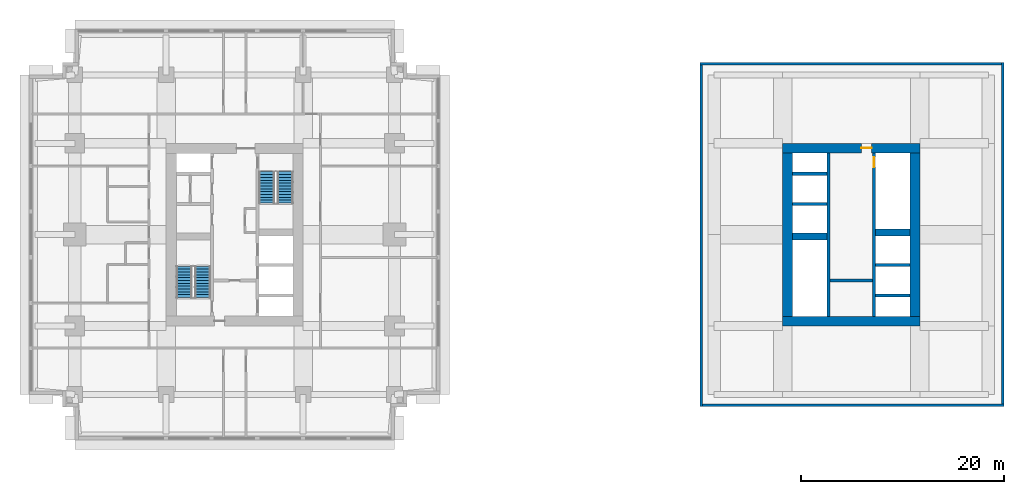
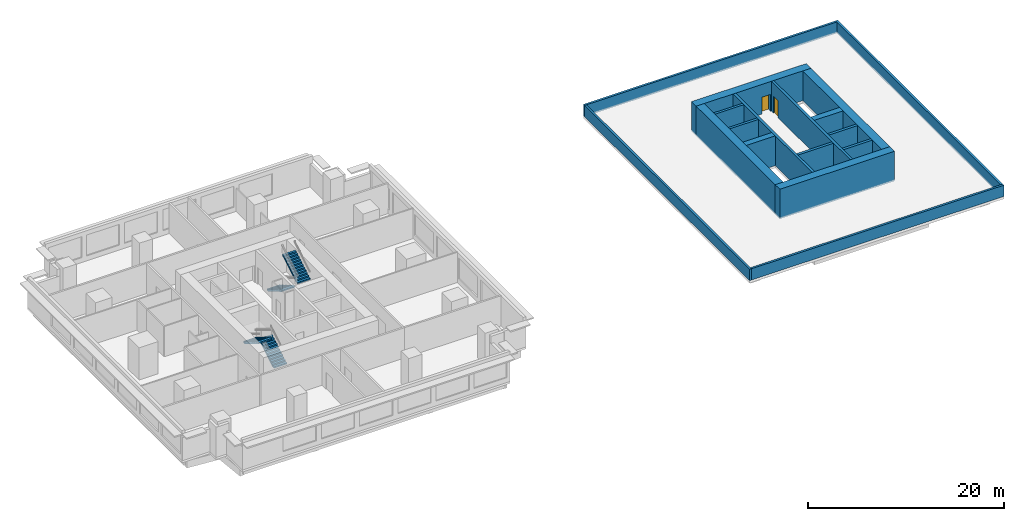
# One storey, part 6 of 7: 17 walls, 4 stair flights, 2 doors, 2 openings, 2 elements without a shape of their own.
"""IFC4 building model written with IfcOpenShell, lengths in metres."""

from ifc_helpers import new_model, si_unit, direction, frame, frame_2d, origin, place, context, subcontext, project, spatial, polyline, rectangle, outline, extrude, material, layer, layer_set, type_object, element, fill, aggregate, save


model = new_model("IFC4")

# Units and contexts
model_context = context("Model", 3, precision=1e-05, world=origin(), true_north=direction((0.0, 1.0)))
body_context = subcontext(model_context, "Body", "Model", "MODEL_VIEW")
ifc_project = project(units=[si_unit("LENGTHUNIT", "METRE"), si_unit("AREAUNIT", "SQUARE_METRE"), si_unit("VOLUMEUNIT", "CUBIC_METRE"), si_unit("PLANEANGLEUNIT", "RADIAN"), si_unit("MASSUNIT", "GRAM", prefix="KILO")], contexts=[model_context])

# Site, building, storey
site_placement = place(None, origin())
site = spatial("IfcSite", under=ifc_project, at=site_placement, CompositionType="ELEMENT")
building_placement = place(site_placement, origin())
building = spatial("IfcBuilding", under=site, at=building_placement, Name="Namib Vertical Campus", CompositionType="ELEMENT")
storey_placement = place(building_placement, frame((0.0, 0.0, 237.0)))
storey = spatial("IfcBuildingStorey", under=building, at=storey_placement, Name="L56", CompositionType="ELEMENT", Elevation=237.0)

# Wall
ifc_material_1 = material(Name="Concrete C60/75", Category="concrete")
ifc_layer_1 = layer(ifc_material_1, 0.300048828125)
ifc_layer_set_1 = layer_set([ifc_layer_1], Name="Concrete C60/75")
wall_type_1 = type_object("IfcWallType", Name="Core inner wall 300", PredefinedType="SHEAR", material=ifc_layer_set_1)
wall_1_placement = place(storey_placement, frame((78.75, 12.199951171875, 0.0), z_axis=(0.0, 0.0, 1.0), x_axis=(0.0, 1.0, 0.0)))
element("IfcWall", 1, at=wall_1_placement, inside=storey, type_object=wall_type_1, Name="Core inner wall B L56 W1", PredefinedType="SHEAR", context=body_context, shape_type="SweptSolid", body=[
    extrude(rectangle(XDim=16.10009765625, YDim=0.300048828125, at=frame_2d((8.050048828125, 0.0))), origin(), (0.0, 0.0, 1.0), 3.699951171875),
])

# Wall, opening, door
wall_2_placement = place(storey_placement, frame((83.25, 12.199951171875, 0.0), z_axis=(0.0, 0.0, 1.0), x_axis=(0.0, 1.0, 0.0)))
wall_2 = element("IfcWall", 2, at=wall_2_placement, inside=storey, type_object=wall_type_1, Name="Core inner wall B L56 W2", PredefinedType="SHEAR", context=body_context, shape_type="SweptSolid", body=[
    extrude(rectangle(XDim=16.10009765625, YDim=0.300048828125, at=frame_2d((8.050048828125, 0.0))), origin(), (0.0, 0.0, 1.0), 3.699951171875),
])
opening_1_placement = place(wall_2_placement, frame((14.699951171875, 0.0, 0.0)))
opening_1 = element("IfcOpeningElement", 3, at=opening_1_placement, cuts=wall_2, Name="Opening FD1", PredefinedType="OPENING", context=body_context, shape_type="SweptSolid", body=[
    extrude(rectangle(XDim=1.0, YDim=2.10009765625, at=frame_2d((0.5, 1.050048828125))), frame((0.0, 0.159912109375, 0.0), z_axis=(0.0, -1.0, 0.0), x_axis=(1.0, 0.0, 0.0)), (0.0, 0.0, 1.0), 0.320068359375),
])
ifc_material_2 = material(Name="Steel fire door", Category="steel")
door_type_1 = type_object("IfcDoorType", Name="Fire door 1000x2100", OperationType="SINGLE_SWING_RIGHT", PredefinedType="DOOR", material=ifc_material_2)
door_1_placement = place(opening_1_placement, frame((1.0, 0.0, 0.0), z_axis=(0.0, 0.0, 1.0), x_axis=(-1.0, 0.0, 0.0)))
door_1 = element("IfcDoor", 4, at=door_1_placement, inside=storey, type_object=door_type_1, Name="Stair door FD1 B L56 S2", OperationType="SINGLE_SWING_LEFT", OverallHeight=2.10009765625, OverallWidth=1.0, PredefinedType="DOOR", context=body_context, shape_type="SweptSolid", body=[
    extrude(rectangle(XDim=1.0, YDim=2.10009765625, at=frame_2d((0.5, 1.050048828125))), frame((0.0, 0.02490234375, 0.0), z_axis=(0.0, -1.0, 0.0), x_axis=(1.0, 0.0, 0.0)), (0.0, 0.0, 1.0), 0.050048828125),
])
fill(opening_1, door_1)

# Walls
wall_3_placement = place(storey_placement, frame((78.89990234375, 15.75, 0.0), z_axis=(0.0, 0.0, 1.0), x_axis=(1.0, 0.0, 0.0)))
element("IfcWall", 5, at=wall_3_placement, inside=storey, type_object=wall_type_1, Name="Core inner wall B L56 W4", PredefinedType="SHEAR", context=body_context, shape_type="SweptSolid", body=[
    extrude(rectangle(XDim=4.2001953125, YDim=0.300048828125, at=frame_2d((2.10009765625, 0.0))), origin(), (0.0, 0.0, 1.0), 3.699951171875),
])
for number, where, z_axis, x_axis, name in (
    (6, (83.39990234375, 14.25, 0.0), (0.0, 0.0, 1.0), (1.0, 0.0, 0.0), "Core inner wall B L56 W5"),
    (7, (83.39990234375, 17.25, 0.0), (0.0, 0.0, 1.0), (1.0, 0.0, 0.0), "Core inner wall B L56 W6"),
    (8, (75.199951171875, 23.25, 0.0), (0.0, 0.0, 1.0), (1.0, 0.0, 0.0), "Core inner wall B L56 W8"),
    (9, (75.199951171875, 26.25, 0.0), (0.0, 0.0, 1.0), (1.0, 0.0, 0.0), "Core inner wall B L56 W9"),
):
    element("IfcWall", number, at=place(storey_placement, frame(where, z_axis=z_axis, x_axis=x_axis)), inside=storey, type_object=wall_type_1, Name=name, PredefinedType="SHEAR", context=body_context, shape_type="SweptSolid", body=[
        extrude(rectangle(XDim=3.400146484375, YDim=0.300048828125, at=frame_2d((1.7001953125, 0.0))), origin(), (0.0, 0.0, 1.0), 3.699951171875),
    ])
ifc_material_3 = material(Name="Concrete C60/75", Category="concrete")
ifc_layer_2 = layer(ifc_material_3, 0.699951171875)
ifc_layer_set_2 = layer_set([ifc_layer_2], Name="Concrete C60/75")
wall_type_2 = type_object("IfcWallType", Name="Core shear wall 700", PredefinedType="SHEAR", material=ifc_layer_set_2)
for number, where, z_axis, x_axis, name in (
    (10, (75.199951171875, 20.050048828125, 0.0), (0.0, 0.0, 1.0), (1.0, 0.0, 0.0), "Core shear wall B L56 W3"),
    (11, (83.39990234375, 20.449951171875, 0.0), (0.0, 0.0, 1.0), (1.0, 0.0, 0.0), "Core shear wall B L56 W7"),
):
    element("IfcWall", number, at=place(storey_placement, frame(where, z_axis=z_axis, x_axis=x_axis)), inside=storey, type_object=wall_type_2, Name=name, PredefinedType="SHEAR", context=body_context, shape_type="SweptSolid", body=[
        extrude(rectangle(XDim=3.400146484375, YDim=0.699951171875, at=frame_2d((1.7001953125, 0.0))), origin(), (0.0, 0.0, 1.0), 3.699951171875),
    ])
ifc_material_4 = material(Name="Concrete C60/75", Category="concrete")
ifc_layer_3 = layer(ifc_material_4, 0.949951171875)
ifc_layer_set_3 = layer_set([ifc_layer_3], Name="Concrete C60/75")
wall_type_3 = type_object("IfcWallType", Name="Core wall 950", PredefinedType="SHEAR", material=ifc_layer_set_3)
wall_4_placement = place(storey_placement, frame((74.25, 11.72509765625, 0.0), z_axis=(0.0, 0.0, 1.0), x_axis=(1.0, 0.0, 0.0)))
element("IfcWall", 12, at=wall_4_placement, inside=storey, type_object=wall_type_3, Name="Core wall B L56 1", PredefinedType="SHEAR", context=body_context, shape_type="SweptSolid", body=[
    extrude(rectangle(XDim=13.5, YDim=0.949951171875, at=frame_2d((6.75, 0.0))), origin(), (0.0, 0.0, 1.0), 3.699951171875),
])
wall_5_placement = place(storey_placement, frame((87.27490234375, 12.199951171875, 0.0), z_axis=(0.0, 0.0, 1.0), x_axis=(0.0, 1.0, 0.0)))
element("IfcWall", 13, at=wall_5_placement, inside=storey, type_object=wall_type_3, Name="Core wall B L56 2", PredefinedType="SHEAR", context=body_context, shape_type="SweptSolid", body=[
    extrude(rectangle(XDim=16.10009765625, YDim=0.949951171875, at=frame_2d((8.050048828125, 0.0))), origin(), (0.0, 0.0, 1.0), 3.699951171875),
])

# Wall, opening, door
wall_6_placement = place(storey_placement, frame((87.75, 28.77490234375, 0.0), z_axis=(0.0, 0.0, 1.0), x_axis=(-1.0, 0.0, 0.0)))
wall_6 = element("IfcWall", 14, at=wall_6_placement, inside=storey, type_object=wall_type_3, Name="Core wall B L56 3", PredefinedType="SHEAR", context=body_context, shape_type="SweptSolid", body=[
    extrude(rectangle(XDim=13.5, YDim=0.949951171875, at=frame_2d((6.75, 0.0))), origin(), (0.0, 0.0, 1.0), 3.699951171875),
])
opening_2_placement = place(wall_6_placement, frame((4.75, 0.0, 0.0)))
opening_2 = element("IfcOpeningElement", 15, at=opening_2_placement, cuts=wall_6, Name="Opening MD1", PredefinedType="OPENING", context=body_context, shape_type="SweptSolid", body=[
    extrude(rectangle(XDim=1.0, YDim=2.10009765625, at=frame_2d((0.5, 1.050048828125))), frame((0.0, 0.48486328125, 0.0), z_axis=(0.0, -1.0, 0.0), x_axis=(1.0, 0.0, 0.0)), (0.0, 0.0, 1.0), 0.969970703125),
])
ifc_material_5 = material(Name="Galvanised steel door", Category="steel")
door_type_2 = type_object("IfcDoorType", Name="Maintenance access door 1000x2100", OperationType="SINGLE_SWING_RIGHT", PredefinedType="DOOR", material=ifc_material_5)
door_2_placement = place(opening_2_placement, frame((1.0, 0.0, 0.0), z_axis=(0.0, 0.0, 1.0), x_axis=(-1.0, 0.0, 0.0)))
door_2 = element("IfcDoor", 16, at=door_2_placement, inside=storey, type_object=door_type_2, Name="Maintenance access door MD1 B L56 to the roof", OperationType="SINGLE_SWING_RIGHT", OverallHeight=2.10009765625, OverallWidth=1.0, PredefinedType="DOOR", context=body_context, shape_type="SweptSolid", body=[
    extrude(rectangle(XDim=1.0, YDim=2.10009765625, at=frame_2d((0.5, 1.050048828125))), frame((0.0, 0.02490234375, 0.0), z_axis=(0.0, -1.0, 0.0), x_axis=(1.0, 0.0, 0.0)), (0.0, 0.0, 1.0), 0.050048828125),
])
fill(opening_2, door_2)

# Walls
wall_7_placement = place(storey_placement, frame((74.72509765625, 28.300048828125, 0.0), z_axis=(0.0, 0.0, 1.0), x_axis=(0.0, -1.0, 0.0)))
element("IfcWall", 17, at=wall_7_placement, inside=storey, type_object=wall_type_3, Name="Core wall B L56 4", PredefinedType="SHEAR", context=body_context, shape_type="SweptSolid", body=[
    extrude(rectangle(XDim=16.10009765625, YDim=0.949951171875, at=frame_2d((8.050048828125, 0.0))), origin(), (0.0, 0.0, 1.0), 3.699951171875),
])
ifc_material_6 = material(Name="Concrete C40/50", Category="concrete")
ifc_layer_4 = layer(ifc_material_6, 0.25)
ifc_layer_set_4 = layer_set([ifc_layer_4], Name="Concrete C40/50")
wall_type_4 = type_object("IfcWallType", Name="Parapet wall 250", PredefinedType="PARAPET", material=ifc_layer_set_4)
wall_8_placement = place(storey_placement, frame((66.35009765625, 3.425048828125, 0.0), z_axis=(0.0, 0.0, 1.0), x_axis=(1.0, 0.0, 0.0)))
element("IfcWall", 18, at=wall_8_placement, inside=storey, type_object=wall_type_4, Name="Parapet PW1 B L56 1", PredefinedType="PARAPET", context=body_context, shape_type="SweptSolid", body=[
    extrude(rectangle(XDim=29.699951171875, YDim=0.25, at=frame_2d((14.85009765625, 0.0))), origin(), (0.0, 0.0, 1.0), 1.39990234375),
])
wall_9_placement = place(storey_placement, frame((95.925048828125, 3.550048828125, 0.0), z_axis=(0.0, 0.0, 1.0), x_axis=(0.0, 1.0, 0.0)))
element("IfcWall", 19, at=wall_9_placement, inside=storey, type_object=wall_type_4, Name="Parapet PW1 B L56 2", PredefinedType="PARAPET", context=body_context, shape_type="SweptSolid", body=[
    extrude(rectangle(XDim=33.64990234375, YDim=0.25, at=frame_2d((16.824951171875, 0.0))), origin(), (0.0, 0.0, 1.0), 1.39990234375),
])
wall_10_placement = place(storey_placement, frame((95.800048828125, 37.074951171875, 0.0), z_axis=(0.0, 0.0, 1.0), x_axis=(-1.0, 0.0, 0.0)))
element("IfcWall", 20, at=wall_10_placement, inside=storey, type_object=wall_type_4, Name="Parapet PW1 B L56 3", PredefinedType="PARAPET", context=body_context, shape_type="SweptSolid", body=[
    extrude(rectangle(XDim=29.699951171875, YDim=0.25, at=frame_2d((14.85009765625, 0.0))), origin(), (0.0, 0.0, 1.0), 1.39990234375),
])
wall_11_placement = place(storey_placement, frame((66.22509765625, 36.949951171875, 0.0), z_axis=(0.0, 0.0, 1.0), x_axis=(0.0, -1.0, 0.0)))
element("IfcWall", 21, at=wall_11_placement, inside=storey, type_object=wall_type_4, Name="Parapet PW1 B L56 4", PredefinedType="PARAPET", context=body_context, shape_type="SweptSolid", body=[
    extrude(rectangle(XDim=33.64990234375, YDim=0.25, at=frame_2d((16.824951171875, 0.0))), origin(), (0.0, 0.0, 1.0), 1.39990234375),
])

# Stair, stair flights
ifc_material_7 = material(Name="Concrete C40/50 precast", Category="concrete")
stair_type = type_object("IfcStairType", Name="Exit stair 4000 rise 24 risers 3350 wide", PredefinedType="HALF_TURN_STAIR", material=ifc_material_7)
stair_1_placement = place(storey_placement, origin())
stair_1 = element("IfcStair", 22, at=stair_1_placement, inside=storey, type_object=stair_type, Name="Exit stair A-S1 L56", PredefinedType="HALF_TURN_STAIR")
ifc_material_8 = material(Name="Concrete C40/50 precast", Category="concrete")
stair_flight_type = type_object("IfcStairFlightType", Name="Stair flight 12 risers 167 1525 wide", PredefinedType="STRAIGHT", material=ifc_material_8)
stair_flight_1_placement = place(storey_placement, frame((17.08740234375, 14.050048828125, 0.0), z_axis=(0.0, 0.0, 1.0), x_axis=(0.0, 1.0, 0.0)))
stair_flight_1 = element("IfcStairFlight", 23, at=stair_flight_1_placement, type_object=stair_flight_type, Name="A-S1 flight 1", NumberOfRisers=12, NumberOfTreads=11, PredefinedType="STRAIGHT", RiserHeight=0.166666667, TreadLength=0.28, context=body_context, shape_type="SweptSolid", body=[
    extrude(outline(polyline([(0.0, 0.0), (0.0, 0.166748046875), (0.280029296875, 0.166748046875), (0.280029296875, 0.333251953125), (0.56005859375, 0.333251953125), (0.56005859375, 0.5), (0.840087890625, 0.5), (0.840087890625, 0.666748046875), (1.1201171875, 0.666748046875), (1.1201171875, 0.833251953125), (1.39990234375, 0.833251953125), (1.39990234375, 1.0), (1.679931640625, 1.0), (1.679931640625, 1.166748046875), (1.9599609375, 1.166748046875), (1.9599609375, 1.333251953125), (2.239990234375, 1.333251953125), (2.239990234375, 1.5), (2.52001953125, 1.5), (2.52001953125, 1.666748046875), (2.800048828125, 1.666748046875), (2.800048828125, 1.833251953125), (3.080078125, 1.833251953125), (3.080078125, 2.0), (3.080078125, 1.658935546875), (0.29296875, 0.0), (0.0, 0.0)])), frame((0.0, 0.762451171875, 0.0), z_axis=(0.0, -1.0, 0.0), x_axis=(1.0, 0.0, 0.0)), (0.0, 0.0, 1.0), 1.52490234375),
])
stair_flight_2_placement = place(storey_placement, frame((15.262451171875, 17.1298828125, 2.0), z_axis=(0.0, 0.0, 1.0), x_axis=(0.0, -1.0, 0.0)))
stair_flight_2 = element("IfcStairFlight", 24, at=stair_flight_2_placement, type_object=stair_flight_type, Name="A-S1 flight 2", NumberOfRisers=12, NumberOfTreads=11, PredefinedType="STRAIGHT", RiserHeight=0.166666667, TreadLength=0.28, context=body_context, shape_type="SweptSolid", body=[
    extrude(outline(polyline([(0.0, 0.0), (0.0, 0.166748046875), (0.280029296875, 0.166748046875), (0.280029296875, 0.333251953125), (0.56005859375, 0.333251953125), (0.56005859375, 0.5), (0.840087890625, 0.5), (0.840087890625, 0.666748046875), (1.1201171875, 0.666748046875), (1.1201171875, 0.833251953125), (1.39990234375, 0.833251953125), (1.39990234375, 1.0), (1.679931640625, 1.0), (1.679931640625, 1.166748046875), (1.9599609375, 1.166748046875), (1.9599609375, 1.333251953125), (2.239990234375, 1.333251953125), (2.239990234375, 1.5), (2.52001953125, 1.5), (2.52001953125, 1.666748046875), (2.800048828125, 1.666748046875), (2.800048828125, 1.833251953125), (3.080078125, 1.833251953125), (3.080078125, 2.0), (3.080078125, 1.658935546875), (0.29296875, 0.0), (0.0, 0.0)])), frame((0.0, 0.762451171875, 0.0), z_axis=(0.0, -1.0, 0.0), x_axis=(1.0, 0.0, 0.0)), (0.0, 0.0, 1.0), 1.52490234375),
])
aggregate(stair_1, [stair_flight_1, stair_flight_2])

stair_2_placement = place(storey_placement, origin())
stair_2 = element("IfcStair", 25, at=stair_2_placement, inside=storey, type_object=stair_type, Name="Exit stair A-S2 L56", PredefinedType="HALF_TURN_STAIR")
stair_flight_3_placement = place(storey_placement, frame((23.41259765625, 26.449951171875, 0.0), z_axis=(0.0, 0.0, 1.0), x_axis=(0.0, -1.0, 0.0)))
stair_flight_3 = element("IfcStairFlight", 26, at=stair_flight_3_placement, type_object=stair_flight_type, Name="A-S2 flight 1", NumberOfRisers=12, NumberOfTreads=11, PredefinedType="STRAIGHT", RiserHeight=0.166666667, TreadLength=0.28, context=body_context, shape_type="SweptSolid", body=[
    extrude(outline(polyline([(0.0, 0.0), (0.0, 0.166748046875), (0.280029296875, 0.166748046875), (0.280029296875, 0.333251953125), (0.56005859375, 0.333251953125), (0.56005859375, 0.5), (0.840087890625, 0.5), (0.840087890625, 0.666748046875), (1.1201171875, 0.666748046875), (1.1201171875, 0.833251953125), (1.39990234375, 0.833251953125), (1.39990234375, 1.0), (1.679931640625, 1.0), (1.679931640625, 1.166748046875), (1.9599609375, 1.166748046875), (1.9599609375, 1.333251953125), (2.239990234375, 1.333251953125), (2.239990234375, 1.5), (2.52001953125, 1.5), (2.52001953125, 1.666748046875), (2.800048828125, 1.666748046875), (2.800048828125, 1.833251953125), (3.080078125, 1.833251953125), (3.080078125, 2.0), (3.080078125, 1.658935546875), (0.29296875, 0.0), (0.0, 0.0)])), frame((0.0, 0.762451171875, 0.0), z_axis=(0.0, -1.0, 0.0), x_axis=(1.0, 0.0, 0.0)), (0.0, 0.0, 1.0), 1.52490234375),
])
stair_flight_4_placement = place(storey_placement, frame((25.237548828125, 23.3701171875, 2.0), z_axis=(0.0, 0.0, 1.0), x_axis=(0.0, 1.0, 0.0)))
stair_flight_4 = element("IfcStairFlight", 27, at=stair_flight_4_placement, type_object=stair_flight_type, Name="A-S2 flight 2", NumberOfRisers=12, NumberOfTreads=11, PredefinedType="STRAIGHT", RiserHeight=0.166666667, TreadLength=0.28, context=body_context, shape_type="SweptSolid", body=[
    extrude(outline(polyline([(0.0, 0.0), (0.0, 0.166748046875), (0.280029296875, 0.166748046875), (0.280029296875, 0.333251953125), (0.56005859375, 0.333251953125), (0.56005859375, 0.5), (0.840087890625, 0.5), (0.840087890625, 0.666748046875), (1.1201171875, 0.666748046875), (1.1201171875, 0.833251953125), (1.39990234375, 0.833251953125), (1.39990234375, 1.0), (1.679931640625, 1.0), (1.679931640625, 1.166748046875), (1.9599609375, 1.166748046875), (1.9599609375, 1.333251953125), (2.239990234375, 1.333251953125), (2.239990234375, 1.5), (2.52001953125, 1.5), (2.52001953125, 1.666748046875), (2.800048828125, 1.666748046875), (2.800048828125, 1.833251953125), (3.080078125, 1.833251953125), (3.080078125, 2.0), (3.080078125, 1.658935546875), (0.29296875, 0.0), (0.0, 0.0)])), frame((0.0, 0.762451171875, 0.0), z_axis=(0.0, -1.0, 0.0), x_axis=(1.0, 0.0, 0.0)), (0.0, 0.0, 1.0), 1.52490234375),
])
aggregate(stair_2, [stair_flight_3, stair_flight_4])

save(model, "model.ifc")
